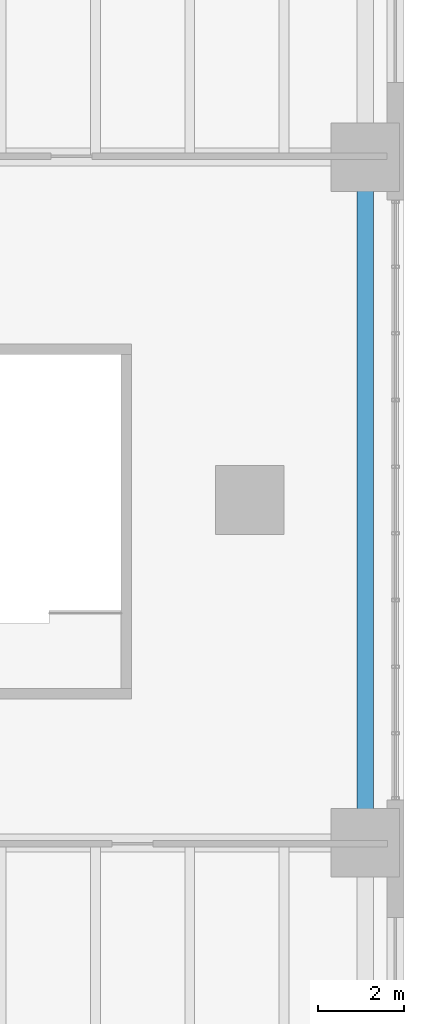
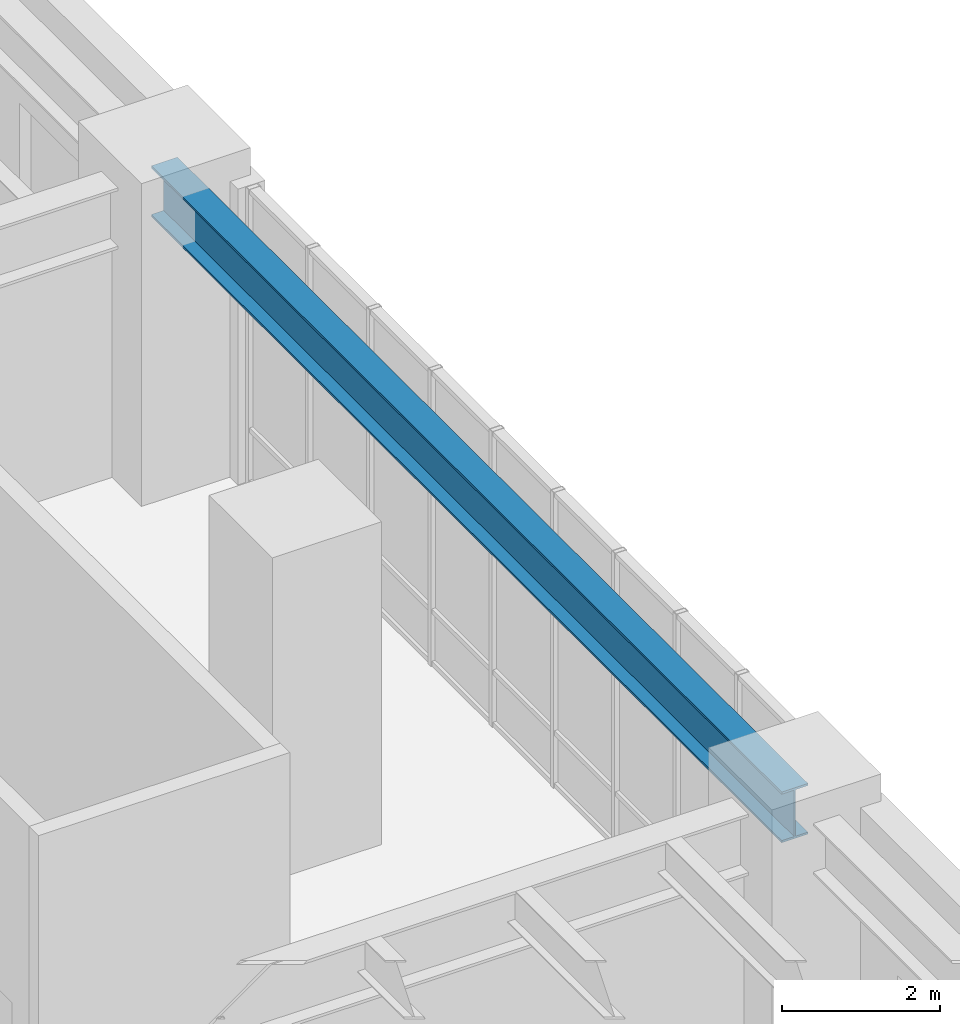
# One storey, part 9 of 18: 1 beam.
"""IFC4 building model written with IfcOpenShell, lengths in metres."""

from ifc_helpers import new_model, si_unit, direction, frame, origin, origin_2d, place, context, subcontext, project, spatial, i_section, extrude, material, material_profile, profile_set, type_object, element, save


model = new_model("IFC4")

# Units and contexts
model_context = context("Model", 3, precision=1e-05, world=origin(), true_north=direction((0.0, 1.0)))
body_context = subcontext(model_context, "Body", "Model", "MODEL_VIEW")
ifc_project = project(units=[si_unit("LENGTHUNIT", "METRE"), si_unit("AREAUNIT", "SQUARE_METRE"), si_unit("VOLUMEUNIT", "CUBIC_METRE"), si_unit("PLANEANGLEUNIT", "RADIAN"), si_unit("MASSUNIT", "GRAM", prefix="KILO"), si_unit("THERMODYNAMICTEMPERATUREUNIT", "KELVIN"), si_unit("POWERUNIT", "WATT")], contexts=[model_context])

# Site, building, storey
site_placement = place(None, origin())
site = spatial("IfcSite", under=ifc_project, at=site_placement, CompositionType="ELEMENT")
building_placement = place(site_placement, origin())
building = spatial("IfcBuilding", under=site, at=building_placement, Name="Skarre Station Tower", CompositionType="ELEMENT")
storey_placement = place(building_placement, frame((0.0, 0.0, 16.0)))
storey = spatial("IfcBuildingStorey", under=building, at=storey_placement, Name="L04", CompositionType="ELEMENT", Elevation=16.0)

# Beam
ifc_material = material(Name="Steel ASTM A992 Grade 50", Category="steel")
ifc_material_profile = material_profile(ifc_material, i_section(OverallWidth=0.384033203125, OverallDepth=0.785888671875, WebThickness=0.02001953125, FlangeThickness=0.032958984375, at=origin_2d()), Name="Steel ASTM A992 Grade 50")
ifc_profile_set = profile_set([ifc_material_profile], Name="Steel ASTM A992 Grade 50")
beam_type = type_object("IfcBeamType", Name="Steel Spandrel W30X211", PredefinedType="SPANDREL", material=ifc_profile_set)
beam_placement = place(storey_placement, frame((71.10009765625, 16.0, 4.18701171875), z_axis=(0.0, 1.0, 0.0), x_axis=(-1.0, 0.0, 0.0)))
element("IfcBeam", 1, at=beam_placement, inside=storey, type_object=beam_type, Name="L04 East Podium Spandrel 2", PredefinedType="SPANDREL", context=body_context, shape_type="SweptSolid", body=[
    extrude(i_section(OverallWidth=0.384033203125, OverallDepth=0.785888671875, WebThickness=0.02001953125, FlangeThickness=0.032958984375, at=origin_2d()), origin(), (0.0, 0.0, 1.0), 16.0),
])

save(model, "model.ifc")
